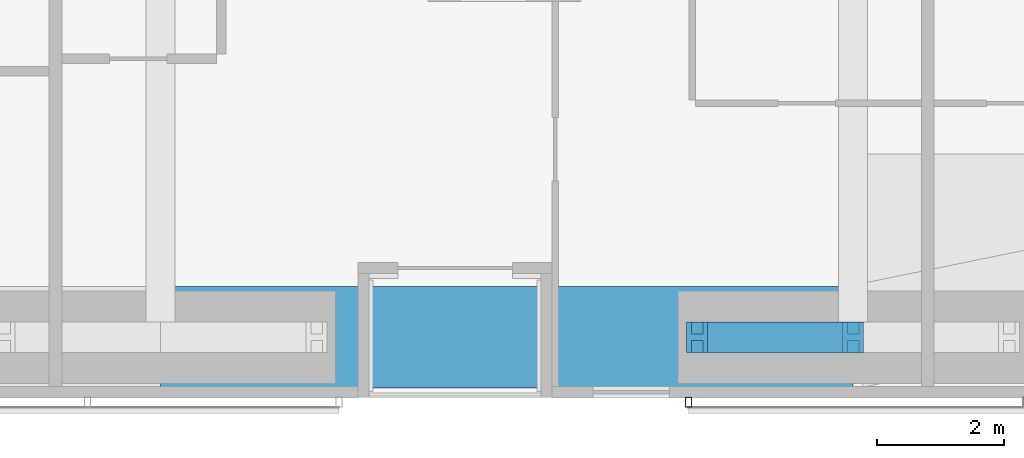
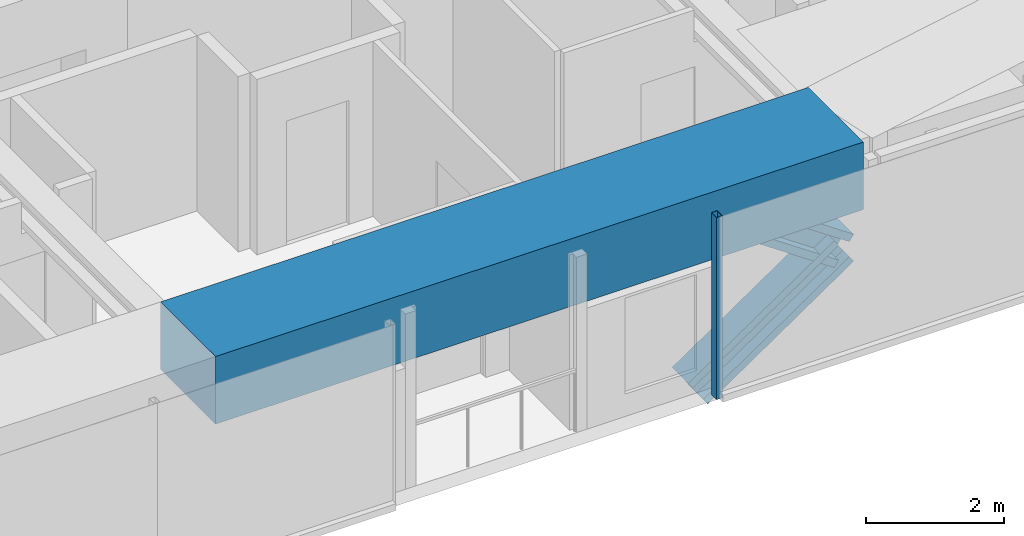
# One storey, part 5 of 23: 3 members, 1 beam, 1 element without a shape of its own.
"""IFC4 building model written with IfcOpenShell, lengths in metres."""

import ifcopenshell
import ifcopenshell.guid

model = None  # the IFC model being written
_history = None  # IfcOwnerHistory: only IFC2X3 demands one
_inside = {}  # id of a spatial element -> (the spatial element, [elements in it])
_under = {}  # id of a project, library or spatial element -> (it, [spatial elements below it])
_declared = {}  # id of a project -> (the project, [libraries it declares])
_typed = {}  # id of a type object -> (the type object, [elements of that type])
_made_of = {}  # id of a material, layer set ... -> (it, [elements and type objects made of it])


def new_model(schema):
    """Start an empty IFC model of exactly this schema.

    Asked for "IFC4X3", IfcOpenShell would pick the latest addendum, in which some entities
    have other attributes; the version numbers below select the first issue.
    IFC2X3 requires an IfcOwnerHistory on every rooted entity: one is made here for all.
    """
    global model, _history
    if schema == "IFC4X3":
        model = ifcopenshell.file(schema_version=(4, 3, 0, 0))
    else:
        model = ifcopenshell.file(schema=schema)
    _inside.clear()
    _under.clear()
    _declared.clear()
    _typed.clear()
    _made_of.clear()
    _history = None
    if model.schema == "IFC2X3":
        org = make("IfcOrganization", Name="unknown")
        user = make(
            "IfcPersonAndOrganization",
            ThePerson=make("IfcPerson", FamilyName="unknown"),
            TheOrganization=org,
        )
        app = make(
            "IfcApplication",
            ApplicationDeveloper=org,
            Version="unknown",
            ApplicationFullName="unknown",
            ApplicationIdentifier="unknown",
        )
        _history = make(
            "IfcOwnerHistory",
            OwningUser=user,
            OwningApplication=app,
            ChangeAction="ADDED",
            CreationDate=0,
        )
    return model


def make(cls, **values):
    """One entity of the class cls with the attributes given. An attribute that is None is left unset."""
    return model.create_entity(
        cls, **{name: value for name, value in values.items() if value is not None}
    )


def rooted(cls, **values):
    """An entity with a GlobalId (a new one), such as an element, a storey or a relation."""
    return make(cls, GlobalId=ifcopenshell.guid.new(), OwnerHistory=_history, **values)


def si_unit(unit_type, name, prefix=None):
    """IfcSIUnit, for example si_unit("LENGTHUNIT", "METRE", prefix="MILLI")."""
    return make("IfcSIUnit", UnitType=unit_type, Prefix=prefix, Name=name)


def assignment(units):
    """IfcUnitAssignment: the units of a project."""
    return None if units is None else make("IfcUnitAssignment", Units=units)


def point(xyz):
    """IfcCartesianPoint."""
    return None if xyz is None else make("IfcCartesianPoint", Coordinates=xyz)


def direction(xyz):
    """IfcDirection."""
    return None if xyz is None else make("IfcDirection", DirectionRatios=xyz)


def frame(location, z_axis=None, x_axis=None):
    """IfcAxis2Placement3D, a coordinate frame: its origin and axes. An axis left out is left unset."""
    return make(
        "IfcAxis2Placement3D",
        Location=point(location),
        Axis=direction(z_axis),
        RefDirection=direction(x_axis),
    )


def frame_2d(location, x_axis=None):
    """IfcAxis2Placement2D, a coordinate frame in the plane: its origin and x axis."""
    return make(
        "IfcAxis2Placement2D", Location=point(location), RefDirection=direction(x_axis)
    )


def origin():
    """The frame at (0, 0, 0) with its axes left unset."""
    return frame((0.0, 0.0, 0.0))


def origin_2d():
    """The frame at (0, 0) in the plane with its x axis left unset."""
    return frame_2d((0.0, 0.0))


def place(relative_to, where):
    """IfcLocalPlacement: puts the frame where relative to a parent placement (None: the world)."""
    return make(
        "IfcLocalPlacement", PlacementRelTo=relative_to, RelativePlacement=where
    )


def context(
    kind, dimensions, precision=None, world=None, true_north=None, identifier=None
):
    """IfcGeometricRepresentationContext, for example the 3D "Model" context."""
    return make(
        "IfcGeometricRepresentationContext",
        ContextIdentifier=identifier,
        ContextType=kind,
        CoordinateSpaceDimension=dimensions,
        Precision=precision,
        WorldCoordinateSystem=world,
        TrueNorth=true_north,
    )


def subcontext(parent, identifier, kind, view, scale=None):
    """IfcGeometricRepresentationSubContext, for example "Body" below "Model"."""
    return make(
        "IfcGeometricRepresentationSubContext",
        ContextIdentifier=identifier,
        ContextType=kind,
        ParentContext=parent,
        TargetScale=scale,
        TargetView=view,
    )


def project(units=None, contexts=None):
    """IfcProject with its units and contexts."""
    return rooted(
        "IfcProject",
        Name="project",
        RepresentationContexts=contexts,
        UnitsInContext=assignment(units),
    )


def spatial(cls, under=None, at=None, **own):
    """A site, building, storey or space (cls), placed at a placement, below another one or the project."""
    s = rooted(cls, ObjectPlacement=at, **own)
    if under is not None:
        _under.setdefault(under.id(), (under, []))[1].append(s)
    return s


def profile(cls, at=None, kind="AREA", **sizes):
    """A parametric profile (cls). Its sizes go by their IFC names, for example OverallWidth=200.0."""
    return make(cls, ProfileType=kind, Position=at, **sizes)


def rectangle(**sizes):
    """IfcRectangleProfileDef."""
    return profile("IfcRectangleProfileDef", **sizes)


def hollow_rectangle(**sizes):
    """IfcRectangleHollowProfileDef."""
    return profile("IfcRectangleHollowProfileDef", **sizes)


def i_section(**sizes):
    """IfcIShapeProfileDef."""
    return profile("IfcIShapeProfileDef", **sizes)


def extrude(swept, where, along, depth):
    """IfcExtrudedAreaSolid: the profile swept, set in the frame where, extruded along a direction by depth."""
    return make(
        "IfcExtrudedAreaSolid",
        SweptArea=swept,
        Position=where,
        ExtrudedDirection=direction(along),
        Depth=depth,
    )


def shape(context_of_items, identifier, shape_type, items):
    """IfcShapeRepresentation: the items that make up one representation, for example the "Body"."""
    return make(
        "IfcShapeRepresentation",
        ContextOfItems=context_of_items,
        RepresentationIdentifier=identifier,
        RepresentationType=shape_type,
        Items=items,
    )


def material(Name=None, Category=None):
    """IfcMaterial."""
    return make("IfcMaterial", Name=Name, Category=Category)


def material_profile(
    of_material, cross_section, Name=None, Category=None, Priority=None
):
    """IfcMaterialProfile: a cross section and its material."""
    return make(
        "IfcMaterialProfile",
        Name=Name,
        Material=of_material,
        Profile=cross_section,
        Priority=Priority,
        Category=Category,
    )


def profile_set(profiles, Name=None, composite=None):
    """IfcMaterialProfileSet."""
    return make(
        "IfcMaterialProfileSet",
        Name=Name,
        MaterialProfiles=profiles,
        CompositeProfile=composite,
    )


def made_of(thing, what):
    """Note that an element or type object is made of a material, layer set ...; save() writes the relation."""
    if what is not None:
        _made_of.setdefault(what.id(), (what, []))[1].append(thing)
    return thing


def type_object(cls, material=None, **own):
    """A type object (cls), such as IfcWallType, which elements share."""
    return made_of(rooted(cls, **own), material)


def element(
    cls,
    number,
    at=None,
    inside=None,
    cuts=None,
    type_object=None,
    material=None,
    context=None,
    identifier="Body",
    shape_type=None,
    held_by="IfcProductDefinitionShape",
    body=None,
    shapes=None,
    **own,
):
    """One element of the class cls, such as IfcWall. Its Tag is "e" and its number.

    at: its placement. inside: the storey or other place that contains it. cuts: it is an
    opening in that element (IfcRelVoidsElement). A single representation is given by context,
    identifier, shape_type and body (its items); several are given by shapes. held_by: the class
    of the entity that holds the representations. save() writes the other relations.
    """
    e = rooted(cls, Tag="e%d" % number, ObjectPlacement=at, **own)
    if body is not None:
        shapes = [shape(context, identifier, shape_type, body)]
    if shapes is not None:
        e.Representation = make(held_by, Representations=shapes)
    if inside is not None:
        _inside.setdefault(inside.id(), (inside, []))[1].append(e)
    if cuts is not None:
        rooted(
            "IfcRelVoidsElement", RelatingBuildingElement=cuts, RelatedOpeningElement=e
        )
    if type_object is not None:
        _typed.setdefault(type_object.id(), (type_object, []))[1].append(e)
    return made_of(e, material)


def aggregate(whole, parts):
    """IfcRelAggregates: a whole, such as a stair, and the parts it consists of."""
    return rooted("IfcRelAggregates", RelatingObject=whole, RelatedObjects=parts)


def save(model, path):
    """Write the relations noted so far, then the file.

    IfcRelAggregates (storeys below a building ...), IfcRelContainedInSpatialStructure (elements
    in a storey), IfcRelDefinesByType, IfcRelAssociatesMaterial and IfcRelDeclares: one each for
    every whole, place, type object, material and project.
    """
    for whole, parts in _under.values():
        aggregate(whole, parts)
    for where, things in _inside.values():
        rooted(
            "IfcRelContainedInSpatialStructure",
            RelatedElements=things,
            RelatingStructure=where,
        )
    for kind, things in _typed.values():
        rooted("IfcRelDefinesByType", RelatedObjects=things, RelatingType=kind)
    for what, things in _made_of.values():
        rooted("IfcRelAssociatesMaterial", RelatedObjects=things, RelatingMaterial=what)
    for by, libraries in _declared.values():
        rooted("IfcRelDeclares", RelatingContext=by, RelatedDefinitions=libraries)
    model.write(path)


model = new_model("IFC4")

# Units and contexts
model_context = context("Model", 3, precision=1e-05, world=origin(), true_north=direction((0.0, 1.0)))
body_context = subcontext(model_context, "Body", "Model", "MODEL_VIEW")
ifc_project = project(units=[si_unit("LENGTHUNIT", "METRE"), si_unit("AREAUNIT", "SQUARE_METRE"), si_unit("VOLUMEUNIT", "CUBIC_METRE"), si_unit("PLANEANGLEUNIT", "RADIAN"), si_unit("MASSUNIT", "GRAM", prefix="KILO")], contexts=[model_context])

# Site, building, storey
site_placement = place(None, origin())
site = spatial("IfcSite", under=ifc_project, at=site_placement, CompositionType="ELEMENT")
building_placement = place(site_placement, origin())
building = spatial("IfcBuilding", under=site, at=building_placement, Name="Jalousie Tower", CompositionType="ELEMENT")
storey_placement = place(building_placement, frame((0.0, 0.0, 111.550048828125)))
storey = spatial("IfcBuildingStorey", under=building, at=storey_placement, Name="L30", CompositionType="ELEMENT", Elevation=111.550048828125)

# Members
ifc_material_1 = material(Name="Steel ASTM A992 Grade 50", Category="steel")
ifc_material_profile_1 = material_profile(ifc_material_1, i_section(OverallWidth=0.472412109375, OverallDepth=0.5791015625, WebThickness=0.094970703125, FlangeThickness=0.1298828125, at=origin_2d()), Name="W14X808")
ifc_profile_set_1 = profile_set([ifc_material_profile_1], Name="Steel ASTM A992 Grade 50")
member_type_1 = type_object("IfcMemberType", Name="PERIMETER BRACE W14X808", PredefinedType="BRACE", material=ifc_profile_set_1)
for number, where, z_axis, x_axis, name in (
    (1, (36.175048828125, 0.949951171875, -0.60009765625), (0.825500916831, 0.0, 0.564400776321), (0.0, 1.0, 0.0), "Perimeter brace 04 L30 part 1"),
    (2, (38.625, 0.949951171875, 1.074951171875), (-0.825500916831, 0.0, 0.564400776321), (0.0, -1.0, 0.0), "Perimeter brace 04 L30 part 4"),
):
    element("IfcMember", number, at=place(storey_placement, frame(where, z_axis=z_axis, x_axis=x_axis)), inside=storey, type_object=member_type_1, Name=name, PredefinedType="BRACE", context=body_context, shape_type="SweptSolid", body=[
        extrude(i_section(OverallWidth=0.472412109375, OverallDepth=0.5791015625, WebThickness=0.094970703125, FlangeThickness=0.1298828125, at=origin_2d()), origin(), (0.0, 0.0, 1.0), 2.9677734375),
    ])

# Beam
ifc_material_2 = material(Name="Concrete f'c 40 MPa", Category="concrete")
ifc_material_profile_2 = material_profile(ifc_material_2, rectangle(XDim=1.60009765625, YDim=1.199951171875, at=origin_2d()), Name="RC 1600x1200")
ifc_profile_set_2 = profile_set([ifc_material_profile_2], Name="Concrete f'c 40 MPa")
beam_type = type_object("IfcBeamType", Name="RC BEAM 1600x1200", PredefinedType="BEAM", material=ifc_profile_set_2)
beam_placement = place(storey_placement, frame((27.75, 0.949951171875, 2.75), z_axis=(1.0, 0.0, 0.0), x_axis=(0.0, 1.0, 0.0)))
element("IfcBeam", 3, at=beam_placement, inside=storey, type_object=beam_type, Name="Edge band beam 03-04 under L31", PredefinedType="BEAM", context=body_context, shape_type="SweptSolid", body=[
    extrude(rectangle(XDim=1.60009765625, YDim=1.199951171875, at=origin_2d()), origin(), (0.0, 0.0, 1.0), 10.875),
])

# Curtain wall, member
ifc_material_3 = material(Name="Perforated aluminium sheet", Category="aluminium")
curtain_wall_type = type_object("IfcCurtainWallType", Name="SOLAR SCREEN SS-1", PredefinedType="USERDEFINED", material=ifc_material_3)
curtain_wall_placement = place(storey_placement, origin())
curtain_wall = element("IfcCurtainWall", 4, at=curtain_wall_placement, inside=storey, type_object=curtain_wall_type, Name="Solar screen L30", ObjectType="SOLAR SCREEN SS-1", PredefinedType="USERDEFINED")
ifc_material_4 = material(Name="Steel ASTM A500 Grade C", Category="steel")
ifc_material_profile_3 = material_profile(ifc_material_4, hollow_rectangle(XDim=0.1015625, YDim=0.15234375, WallThickness=0.00634765625, at=origin_2d()), Name="HSS6X4X1/4")
ifc_profile_set_3 = profile_set([ifc_material_profile_3], Name="Steel ASTM A500 Grade C")
member_type_2 = type_object("IfcMemberType", Name="SOLAR SCREEN SS-1 MULLION", PredefinedType="MULLION", material=ifc_profile_set_3)
member_placement = place(storey_placement, frame((36.0400390625, -0.0712890625, -0.1201171875), z_axis=(0.0, 0.0, 1.0), x_axis=(1.0, 0.0, 0.0)))
member = element("IfcMember", 5, at=member_placement, type_object=member_type_2, Name="SS1 post 1", PredefinedType="MULLION", context=body_context, shape_type="SweptSolid", body=[
    extrude(hollow_rectangle(XDim=0.1015625, YDim=0.15234375, WallThickness=0.00634765625, at=origin_2d()), origin(), (0.0, 0.0, 1.0), 3.22998046875),
])
aggregate(curtain_wall, [member])

save(model, "model.ifc")
